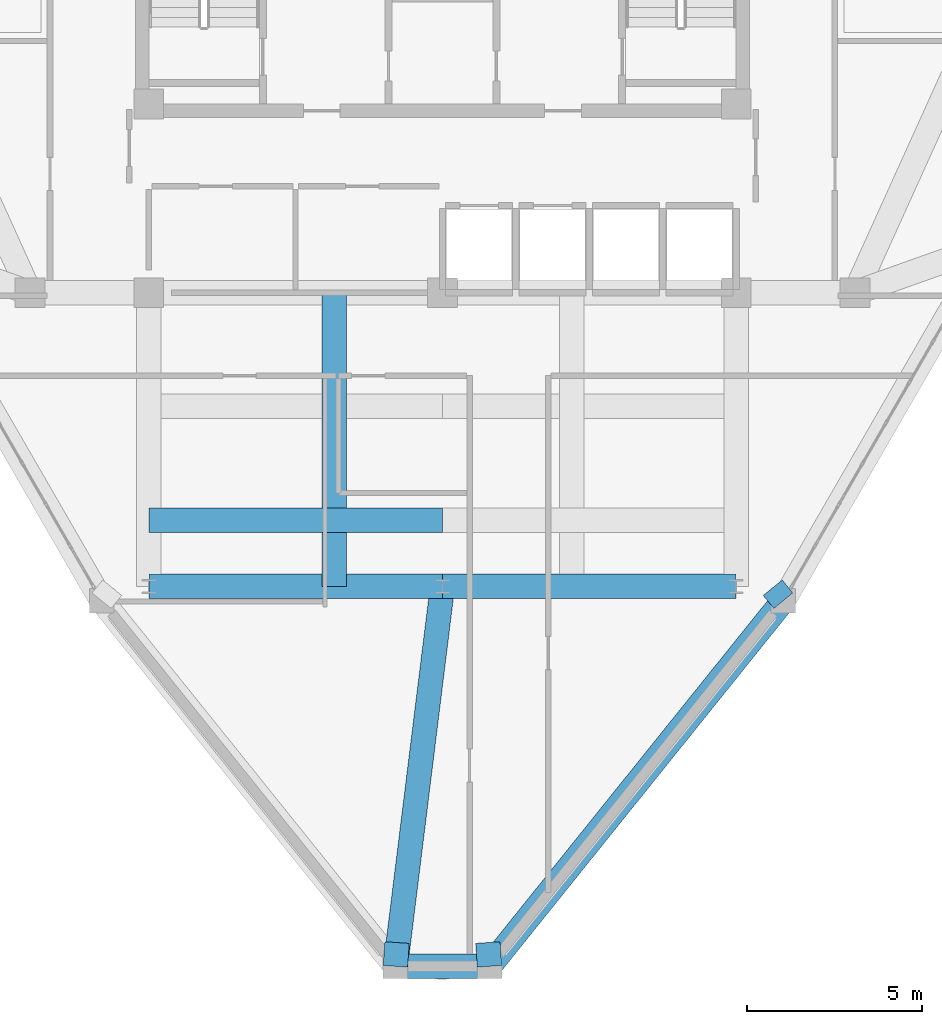
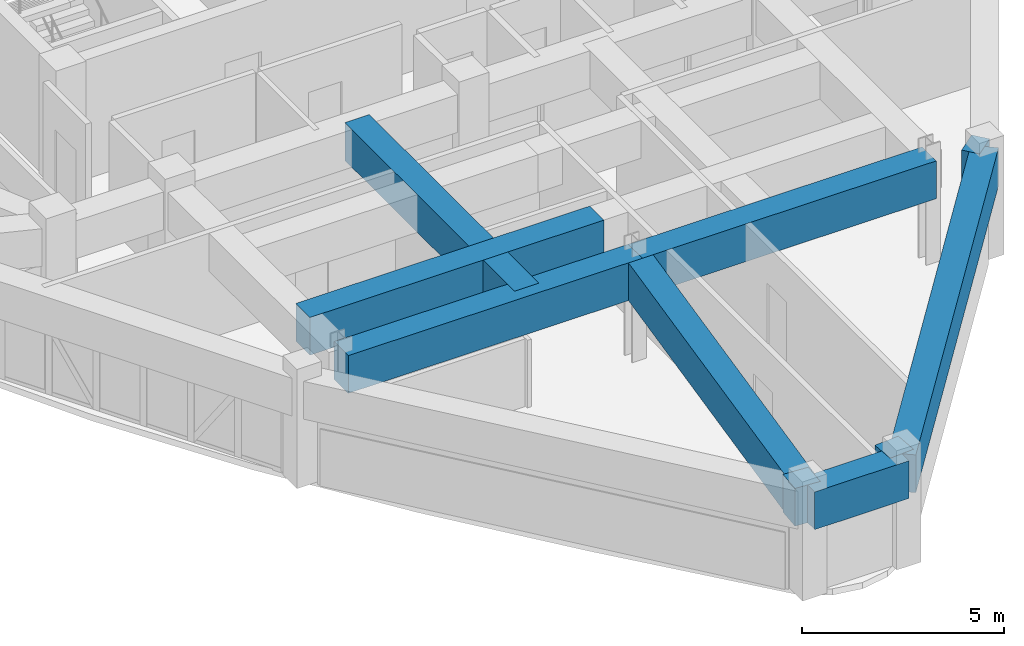
# One storey, part 3 of 14: 10 beams.
"""IFC4 building model written with IfcOpenShell, lengths in metres."""

from ifc_helpers import new_model, si_unit, derived_unit, direction, frame, origin, origin_2d, place, context, subcontext, project, spatial, rectangle, extrude, source, transform, mapped, material, material_profile, profile_set, type_object, element, save


model = new_model("IFC4")

# Units and contexts
model_context = context("Model", 3, precision=1e-05, world=origin(), true_north=direction((0.0, 1.0)))
body_context = subcontext(model_context, "Body", "Model", "MODEL_VIEW")
ifc_project = project(units=[si_unit("LENGTHUNIT", "METRE"), si_unit("AREAUNIT", "SQUARE_METRE"), si_unit("VOLUMEUNIT", "CUBIC_METRE"), si_unit("PLANEANGLEUNIT", "RADIAN"), si_unit("MASSUNIT", "GRAM", prefix="KILO"), derived_unit("THERMALTRANSMITTANCEUNIT", [(si_unit("POWERUNIT", "WATT"), 1), (si_unit("LENGTHUNIT", "METRE"), -2), (si_unit("THERMODYNAMICTEMPERATUREUNIT", "KELVIN"), -1)])], contexts=[model_context])

# Site, building, storey
site_placement = place(None, origin())
site = spatial("IfcSite", under=ifc_project, at=site_placement, CompositionType="ELEMENT")
building_placement = place(site_placement, origin())
building = spatial("IfcBuilding", under=site, at=building_placement, Name="Korsvarv Bourse and Concert Hall", CompositionType="ELEMENT")
storey_placement = place(building_placement, frame((0.0, 0.0, 271.800048828125)))
storey = spatial("IfcBuildingStorey", under=building, at=storey_placement, Name="L71", CompositionType="ELEMENT", Elevation=271.800048828125)

# Beams
ifc_material = material(Name="Concrete C50/60", Category="concrete")
ifc_material_profile = material_profile(ifc_material, rectangle(XDim=0.699951171875, YDim=1.139892578125, at=origin_2d()), Name="RC-BM 700x1140")
ifc_profile_set = profile_set([ifc_material_profile], Name="Concrete C50/60")
beam_type = type_object("IfcBeamType", Name="BM-TR-114", PredefinedType="BEAM", material=ifc_profile_set)
shared_shape_1 = source(origin(), body_context, "Body", "SweptSolid", [
    extrude(rectangle(XDim=0.699951171875, YDim=1.139892578125, at=origin_2d()), origin(), (0.0, 0.0, 1.0), 8.39990234375),
])
for number, where, z_axis, x_axis, name in (
    (1, (27.60009765625, 25.89990234375, 2.60986328125), (1.0, 0.0, 0.0), (0.0, 1.0, 0.0), "L71 beam B-TR5"),
    (2, (32.89990234375, 24.0, 2.60986328125), (0.0, 1.0, 0.0), (-1.0, 0.0, 0.0), "L71 beam B-TR5"),
    (3, (27.60009765625, 24.0, 2.60986328125), (1.0, 0.0, 0.0), (0.0, 1.0, 0.0), "L71 beam B-TR5"),
    (4, (36.0, 24.0, 2.60986328125), (1.0, 0.0, 0.0), (0.0, 1.0, 0.0), "L71 beam B-TR5"),
):
    element("IfcBeam", number, at=place(storey_placement, frame(where, z_axis=z_axis, x_axis=x_axis)), inside=storey, type_object=beam_type, Name=name, PredefinedType="BEAM", context=body_context, shape_type="MappedRepresentation", body=[
        mapped(shared_shape_1, transform((0.0, 0.0, 0.0), scale=1.0)),
    ])
shared_shape_2 = source(origin(), body_context, "Body", "SweptSolid", [
    extrude(rectangle(XDim=0.699951171875, YDim=1.139892578125, at=origin_2d()), origin(), (0.0, 0.0, 1.0), 2.6923828125),
])
beam_1_placement = place(storey_placement, frame((34.65380859375, 13.135498046875, 2.60986328125), z_axis=(1.0, 0.0, 0.0), x_axis=(0.0, 1.0, 0.0)))
element("IfcBeam", 5, at=beam_1_placement, inside=storey, type_object=beam_type, Name="L71 beam B-TR5", PredefinedType="BEAM", context=body_context, shape_type="MappedRepresentation", body=[
    mapped(shared_shape_2, transform((0.0, 0.0, 0.0), scale=1.0)),
])
shared_shape_3 = source(origin(), body_context, "Body", "SweptSolid", [
    extrude(rectangle(XDim=0.699951171875, YDim=1.139892578125, at=origin_2d()), origin(), (0.0, 0.0, 1.0), 13.416015625),
])
beam_2_placement = place(storey_placement, frame((37.34619140625, 13.135498046875, 2.60986328125), z_axis=(0.626382420215, 0.779515916223, 0.0), x_axis=(-0.779515916223, 0.626382420215, 0.0)))
element("IfcBeam", 6, at=beam_2_placement, inside=storey, type_object=beam_type, Name="L71 beam B-TR5", PredefinedType="BEAM", context=body_context, shape_type="MappedRepresentation", body=[
    mapped(shared_shape_3, transform((0.0, 0.0, 0.0), scale=1.0)),
])
shared_shape_4 = source(origin(), body_context, "Body", "SweptSolid", [
    extrude(rectangle(XDim=0.699951171875, YDim=1.139892578125, at=origin_2d()), origin(), (0.0, 0.0, 1.0), 10.947509765625),
])
beam_3_placement = place(storey_placement, frame((34.65380859375, 13.135498046875, 2.60986328125), z_axis=(0.122966966019, 0.992410764385, 0.0), x_axis=(-0.992410764385, 0.122966966019, 0.0)))
element("IfcBeam", 7, at=beam_3_placement, inside=storey, type_object=beam_type, Name="L71 beam B-TR5", PredefinedType="BEAM", context=body_context, shape_type="MappedRepresentation", body=[
    mapped(shared_shape_4, transform((0.0, 0.0, 0.0), scale=1.0)),
])
shared_shape_5 = source(origin(), body_context, "Body", "SweptSolid", [
    extrude(rectangle(XDim=0.699951171875, YDim=1.139892578125, at=origin_2d()), origin(), (0.0, 0.0, 1.0), 0.478515625),
])
beam_4_placement = place(storey_placement, frame((45.749755859375, 23.593505859375, 2.60986328125), z_axis=(-0.631207155644, 0.775614289878, 0.0), x_axis=(-0.775614289878, -0.631207155644, 0.0)))
element("IfcBeam", 8, at=beam_4_placement, inside=storey, type_object=beam_type, Name="L71 beam B-TR5", PredefinedType="BEAM", context=body_context, shape_type="MappedRepresentation", body=[
    mapped(shared_shape_5, transform((0.0, 0.0, 0.0), scale=1.0)),
])
shared_shape_6 = source(origin(), body_context, "Body", "SweptSolid", [
    extrude(rectangle(XDim=0.699951171875, YDim=1.139892578125, at=origin_2d()), origin(), (0.0, 0.0, 1.0), 0.68017578125),
])
for number, where, z_axis, x_axis, name in (
    (9, (34.65380859375, 13.135498046875, 2.60986328125), (0.068925293353, 0.997621824108, 0.0), (-0.997621824108, 0.068925293353, 0.0), "L71 beam B-TR5"),
    (10, (37.34619140625, 13.135498046875, 2.60986328125), (-0.068925293353, 0.997621824108, 0.0), (-0.997621824108, -0.068925293353, 0.0), "L71 beam B-TR5"),
):
    element("IfcBeam", number, at=place(storey_placement, frame(where, z_axis=z_axis, x_axis=x_axis)), inside=storey, type_object=beam_type, Name=name, PredefinedType="BEAM", context=body_context, shape_type="MappedRepresentation", body=[
        mapped(shared_shape_6, transform((0.0, 0.0, 0.0), scale=1.0)),
    ])

save(model, "model.ifc")
